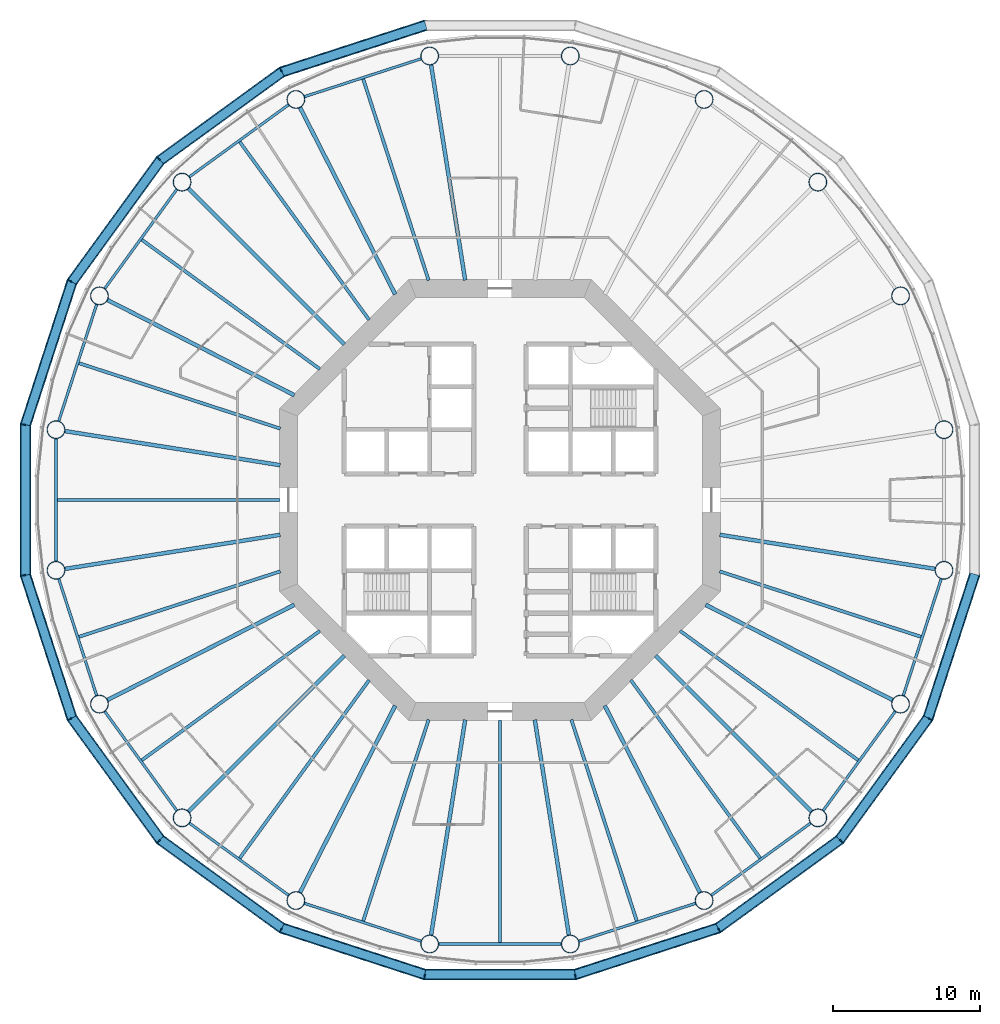
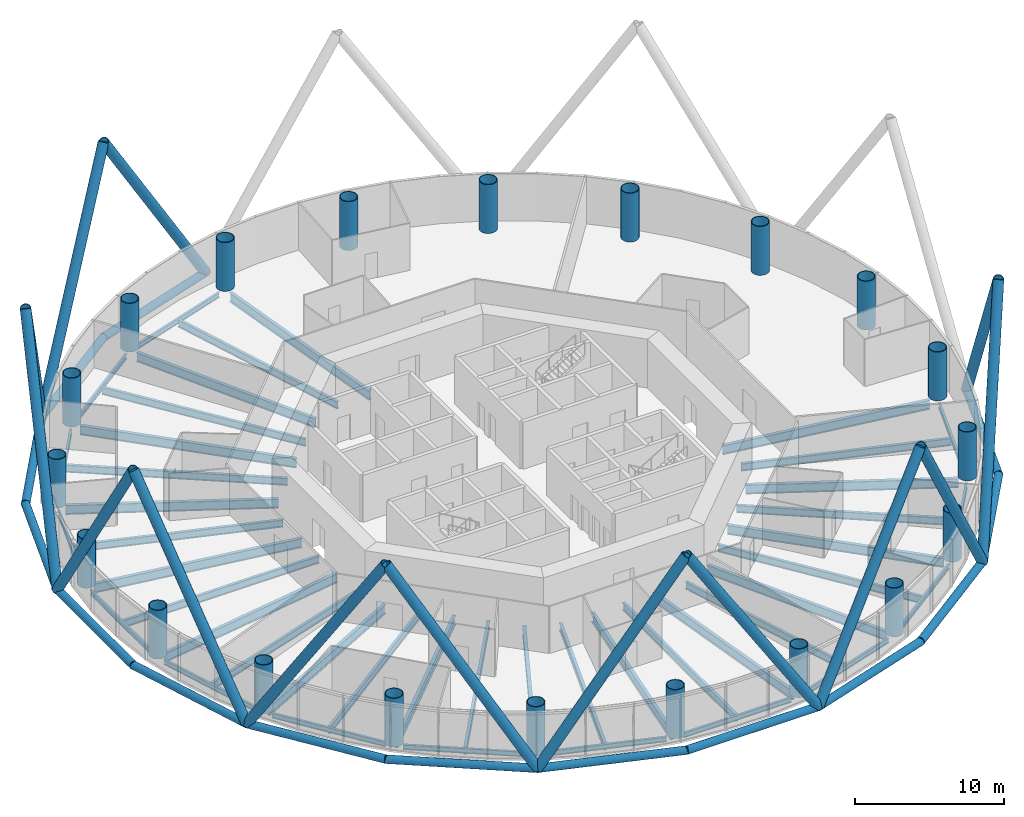
# One storey, part 1 of 13: 43 beams, 28 members, 20 columns.
"""IFC4 building model written with IfcOpenShell, lengths in metres."""

from ifc_helpers import new_model, si_unit, direction, frame, origin, origin_2d, place, context, subcontext, project, spatial, circle, hollow_circle, i_section, extrude, material, material_profile, profile_set, type_object, element, save


model = new_model("IFC4")

# Units and contexts
model_context = context("Model", 3, precision=1e-05, world=origin(), true_north=direction((0.0, 1.0)))
body_context = subcontext(model_context, "Body", "Model", "MODEL_VIEW")
ifc_project = project(units=[si_unit("LENGTHUNIT", "METRE"), si_unit("AREAUNIT", "SQUARE_METRE"), si_unit("VOLUMEUNIT", "CUBIC_METRE"), si_unit("PLANEANGLEUNIT", "RADIAN"), si_unit("MASSUNIT", "GRAM", prefix="KILO")], contexts=[model_context])

# Site, building, storey
site_placement = place(None, origin())
site = spatial("IfcSite", under=ifc_project, at=site_placement, CompositionType="ELEMENT")
building_placement = place(site_placement, origin())
building = spatial("IfcBuilding", under=site, at=building_placement, Name="Entoto Ring Tower", CompositionType="ELEMENT")
storey_placement = place(building_placement, frame((0.0, 0.0, 116.0)))
storey = spatial("IfcBuildingStorey", under=building, at=storey_placement, Name="L26", CompositionType="ELEMENT", Elevation=116.0)

# Columns
ifc_material_1 = material(Name="Steel S355", Category="steel")
ifc_material_profile_1 = material_profile(ifc_material_1, hollow_circle(Radius=0.625, WallThickness=0.054931640625, at=origin_2d()), Name="CHS 1250 x 55")
ifc_material_2 = material(Name="Concrete C60/75", Category="concrete")
ifc_material_profile_2 = material_profile(ifc_material_2, circle(Radius=0.570068359375, at=origin_2d()), Name="Concrete C60/75 infill")
ifc_profile_set_1 = profile_set([ifc_material_profile_1, ifc_material_profile_2], Name="Steel S355")
column_type = type_object("IfcColumnType", Name="Ring column 1250 x 55 concrete-filled tube", PredefinedType="COLUMN", material=ifc_profile_set_1)
for number, where, z_axis, x_axis, name in (
    (1, (120.22314453125, 84.786865234375, 0.0), (0.0, 0.0, 1.0), (1.0, 0.0, 0.0), "RC2 R01"),
    (2, (117.264892578125, 93.89208984375, 0.0), (0.0, 0.0, 1.0), (1.0, 0.0, 0.0), "RC2 R02"),
    (3, (111.637451171875, 101.637451171875, 0.0), (0.0, 0.0, 1.0), (1.0, 0.0, 0.0), "RC2 R03"),
    (4, (103.89208984375, 107.264892578125, 0.0), (0.0, 0.0, 1.0), (1.0, 0.0, 0.0), "RC2 R04"),
    (5, (94.786865234375, 110.22314453125, 0.0), (0.0, 0.0, 1.0), (1.0, 0.0, 0.0), "RC2 R05"),
    (6, (85.213134765625, 110.22314453125, 0.0), (0.0, 0.0, 1.0), (1.0, 0.0, 0.0), "RC2 R06"),
    (7, (76.10791015625, 107.264892578125, 0.0), (0.0, 0.0, 1.0), (1.0, 0.0, 0.0), "RC2 R07"),
    (8, (68.362548828125, 101.637451171875, 0.0), (0.0, 0.0, 1.0), (1.0, 0.0, 0.0), "RC2 R08"),
    (9, (62.735107421875, 93.89208984375, 0.0), (0.0, 0.0, 1.0), (1.0, 0.0, 0.0), "RC2 R09"),
    (10, (59.77685546875, 84.786865234375, 0.0), (0.0, 0.0, 1.0), (1.0, 0.0, 0.0), "RC2 R10"),
    (11, (59.77685546875, 75.213134765625, 0.0), (0.0, 0.0, 1.0), (1.0, 0.0, 0.0), "RC2 R11"),
    (12, (62.735107421875, 66.10791015625, 0.0), (0.0, 0.0, 1.0), (1.0, 0.0, 0.0), "RC2 R12"),
    (13, (68.362548828125, 58.362548828125, 0.0), (0.0, 0.0, 1.0), (1.0, 0.0, 0.0), "RC2 R13"),
    (14, (76.10791015625, 52.735107421875, 0.0), (0.0, 0.0, 1.0), (1.0, 0.0, 0.0), "RC2 R14"),
    (15, (85.213134765625, 49.77685546875, 0.0), (0.0, 0.0, 1.0), (1.0, 0.0, 0.0), "RC2 R15"),
    (16, (94.786865234375, 49.77685546875, 0.0), (0.0, 0.0, 1.0), (1.0, 0.0, 0.0), "RC2 R16"),
    (17, (103.89208984375, 52.735107421875, 0.0), (0.0, 0.0, 1.0), (1.0, 0.0, 0.0), "RC2 R17"),
    (18, (111.637451171875, 58.362548828125, 0.0), (0.0, 0.0, 1.0), (1.0, 0.0, 0.0), "RC2 R18"),
    (19, (117.264892578125, 66.10791015625, 0.0), (0.0, 0.0, 1.0), (1.0, 0.0, 0.0), "RC2 R19"),
    (20, (120.22314453125, 75.213134765625, 0.0), (0.0, 0.0, 1.0), (1.0, 0.0, 0.0), "RC2 R20"),
):
    element("IfcColumn", number, at=place(storey_placement, frame(where, z_axis=z_axis, x_axis=x_axis)), inside=storey, type_object=column_type, Name=name, PredefinedType="COLUMN", context=body_context, shape_type="SweptSolid", body=[
        extrude(hollow_circle(Radius=0.625, WallThickness=0.054931640625, at=origin_2d()), origin(), (0.0, 0.0, 1.0), 4.0),
    ])

# Members
ifc_material_3 = material(Name="Steel S355", Category="steel")
ifc_material_profile_3 = material_profile(ifc_material_3, hollow_circle(Radius=0.375, WallThickness=0.0380859375, at=origin_2d()), Name="CHS 750 x 38")
ifc_material_4 = material(Name="Concrete C60/75", Category="concrete")
ifc_material_profile_4 = material_profile(ifc_material_4, circle(Radius=0.3369140625, at=origin_2d()), Name="Concrete C60/75 infill")
ifc_profile_set_2 = profile_set([ifc_material_profile_3, ifc_material_profile_4], Name="Steel S355")
member_type_1 = type_object("IfcMemberType", Name="Diagrid diagonal 750 x 38 concrete-filled tube", PredefinedType="BRACE", material=ifc_profile_set_2)
for number, where, z_axis, x_axis, name in (
    (21, (84.884521484375, 112.29736328125, 0.0), (-0.512340715739, -0.166465095802, 0.84249413225), (0.309009448885, -0.95105896794, 0.0), "DG3A module 8 06"),
    (22, (66.877685546875, 103.122314453125, 0.0), (0.435822862586, 0.316653552924, 0.842489738731), (-0.587797047665, 0.809008424404, 0.0), "DG3A module 8 07"),
    (23, (66.877685546875, 103.122314453125, 0.0), (-0.316653552924, -0.435822862586, 0.842489738731), (0.809008424404, -0.587797047665, 0.0), "DG3A module 8 08"),
    (24, (57.70263671875, 85.115478515625, 0.0), (0.166465095802, 0.512340715739, 0.84249413225), (-0.95105896794, 0.309009448885, 0.0), "DG3A module 8 09"),
):
    element("IfcMember", number, at=place(storey_placement, frame(where, z_axis=z_axis, x_axis=x_axis)), inside=storey, type_object=member_type_1, Name=name, PredefinedType="BRACE", context=body_context, shape_type="SweptSolid", body=[
        extrude(hollow_circle(Radius=0.375, WallThickness=0.0380859375, at=origin_2d()), origin(), (0.0, 0.0, 1.0), 18.9912109375),
    ])
member_1_placement = place(storey_placement, frame((57.70263671875, 85.115478515625, 0.0), z_axis=(0.0, -0.538715853857, 0.84248752442), x_axis=(1.0, 0.0, 0.0)))
element("IfcMember", 25, at=member_1_placement, inside=storey, type_object=member_type_1, Name="DG3A module 8 10", PredefinedType="BRACE", context=body_context, shape_type="SweptSolid", body=[
    extrude(hollow_circle(Radius=0.375, WallThickness=0.0380859375, at=origin_2d()), origin(), (0.0, 0.0, 1.0), 18.991455078125),
])
for number, where, z_axis, x_axis, name in (
    (26, (60.864013671875, 65.154541015625, 0.0), (-0.166465095802, 0.512340715739, 0.84249413225), (-0.95105896794, -0.309009448885, 0.0), "DG3A module 8 11"),
    (27, (60.864013671875, 65.154541015625, 0.0), (0.316653552924, -0.435822862586, 0.842489738731), (0.809008424404, 0.587797047665, 0.0), "DG3A module 8 12"),
    (28, (75.154541015625, 50.864013671875, 0.0), (-0.435822862586, 0.316653552924, 0.842489738731), (-0.587797047665, -0.809008424404, 0.0), "DG3A module 8 13"),
    (29, (75.154541015625, 50.864013671875, 0.0), (0.512340715739, -0.166465095802, 0.84249413225), (0.309009448885, 0.95105896794, 0.0), "DG3A module 8 14"),
):
    element("IfcMember", number, at=place(storey_placement, frame(where, z_axis=z_axis, x_axis=x_axis)), inside=storey, type_object=member_type_1, Name=name, PredefinedType="BRACE", context=body_context, shape_type="SweptSolid", body=[
        extrude(hollow_circle(Radius=0.375, WallThickness=0.0380859375, at=origin_2d()), origin(), (0.0, 0.0, 1.0), 18.9912109375),
    ])
member_2_placement = place(storey_placement, frame((95.115478515625, 47.70263671875, 0.0), z_axis=(-0.538715853857, 0.0, 0.84248752442), x_axis=(0.0, -1.0, 0.0)))
element("IfcMember", 30, at=member_2_placement, inside=storey, type_object=member_type_1, Name="DG3A module 8 15", PredefinedType="BRACE", context=body_context, shape_type="SweptSolid", body=[
    extrude(hollow_circle(Radius=0.375, WallThickness=0.0380859375, at=origin_2d()), origin(), (0.0, 0.0, 1.0), 18.991455078125),
])
for number, where, z_axis, x_axis, name in (
    (31, (95.115478515625, 47.70263671875, 0.0), (0.512340715739, 0.166465095802, 0.84249413225), (-0.309009448885, 0.95105896794, 0.0), "DG3A module 8 16"),
    (32, (113.122314453125, 56.877685546875, 0.0), (-0.435822862586, -0.316653552924, 0.842489738731), (0.587797047665, -0.809008424404, 0.0), "DG3A module 8 17"),
    (33, (113.122314453125, 56.877685546875, 0.0), (0.316653552924, 0.435822862586, 0.842489738731), (-0.809008424404, 0.587797047665, 0.0), "DG3A module 8 18"),
    (34, (122.29736328125, 74.884521484375, 0.0), (-0.166465095802, -0.512340715739, 0.84249413225), (0.95105896794, -0.309009448885, 0.0), "DG3A module 8 19"),
):
    element("IfcMember", number, at=place(storey_placement, frame(where, z_axis=z_axis, x_axis=x_axis)), inside=storey, type_object=member_type_1, Name=name, PredefinedType="BRACE", context=body_context, shape_type="SweptSolid", body=[
        extrude(hollow_circle(Radius=0.375, WallThickness=0.0380859375, at=origin_2d()), origin(), (0.0, 0.0, 1.0), 18.9912109375),
    ])
ifc_material_5 = material(Name="Steel S355", Category="steel")
ifc_material_profile_5 = material_profile(ifc_material_5, hollow_circle(Radius=0.300048828125, WallThickness=0.030029296875, at=origin_2d()), Name="CHS 600 x 30")
ifc_material_6 = material(Name="Concrete C60/75", Category="concrete")
ifc_material_profile_6 = material_profile(ifc_material_6, circle(Radius=0.27001953125, at=origin_2d()), Name="Concrete C60/75 infill")
ifc_profile_set_3 = profile_set([ifc_material_profile_5, ifc_material_profile_6], Name="Steel S355")
member_type_2 = type_object("IfcMemberType", Name="Diagrid ring beam 600 x 30", PredefinedType="CHORD", material=ifc_profile_set_3)
member_3_placement = place(storey_placement, frame((84.94873046875, 112.318359375, 0.0), z_axis=(-0.951051375491, -0.309032815696, 0.0), x_axis=(0.309032815696, -0.951051375491, 0.0)))
element("IfcMember", 35, at=member_3_placement, inside=storey, type_object=member_type_2, Name="DR1 ring 7 05", PredefinedType="CHORD", context=body_context, shape_type="SweptSolid", body=[
    extrude(hollow_circle(Radius=0.300048828125, WallThickness=0.030029296875, at=origin_2d()), origin(), (0.0, 0.0, 1.0), 10.36572265625),
])
for number, where, z_axis, x_axis, name in (
    (36, (75.209228515625, 109.175537109375, 0.0), (-0.809025235549, -0.587773909122, 0.0), (0.587773909122, -0.809025235549, 0.0), "DR1 ring 7 06"),
    (37, (66.917236328125, 103.177001953125, 0.0), (-0.587773909122, -0.809025235549, 0.0), (0.809025235549, -0.587773909122, 0.0), "DR1 ring 7 07"),
):
    element("IfcMember", number, at=place(storey_placement, frame(where, z_axis=z_axis, x_axis=x_axis)), inside=storey, type_object=member_type_2, Name=name, PredefinedType="CHORD", context=body_context, shape_type="SweptSolid", body=[
        extrude(hollow_circle(Radius=0.300048828125, WallThickness=0.030029296875, at=origin_2d()), origin(), (0.0, 0.0, 1.0), 10.365966796875),
    ])
for number, where, z_axis, x_axis, name in (
    (38, (60.885009765625, 94.90966796875, 0.0), (-0.309032815696, -0.951051375491, 0.0), (0.951051375491, -0.309032815696, 0.0), "DR1 ring 7 08"),
    (39, (57.70263671875, 85.182861328125, 0.0), (0.0, -1.0, 0.0), (1.0, 0.0, 0.0), "DR1 ring 7 09"),
    (40, (57.681640625, 74.94873046875, 0.0), (0.309032815696, -0.951051375491, 0.0), (0.951051375491, 0.309032815696, 0.0), "DR1 ring 7 10"),
):
    element("IfcMember", number, at=place(storey_placement, frame(where, z_axis=z_axis, x_axis=x_axis)), inside=storey, type_object=member_type_2, Name=name, PredefinedType="CHORD", context=body_context, shape_type="SweptSolid", body=[
        extrude(hollow_circle(Radius=0.300048828125, WallThickness=0.030029296875, at=origin_2d()), origin(), (0.0, 0.0, 1.0), 10.36572265625),
    ])
for number, where, z_axis, x_axis, name in (
    (41, (60.824462890625, 65.209228515625, 0.0), (0.587773909122, -0.809025235549, 0.0), (0.809025235549, 0.587773909122, 0.0), "DR1 ring 7 11"),
    (42, (66.822998046875, 56.917236328125, 0.0), (0.809025235549, -0.587773909122, 0.0), (0.587773909122, 0.809025235549, 0.0), "DR1 ring 7 12"),
):
    element("IfcMember", number, at=place(storey_placement, frame(where, z_axis=z_axis, x_axis=x_axis)), inside=storey, type_object=member_type_2, Name=name, PredefinedType="CHORD", context=body_context, shape_type="SweptSolid", body=[
        extrude(hollow_circle(Radius=0.300048828125, WallThickness=0.030029296875, at=origin_2d()), origin(), (0.0, 0.0, 1.0), 10.365966796875),
    ])
for number, where, z_axis, x_axis, name in (
    (43, (75.09033203125, 50.885009765625, 0.0), (0.951051375491, -0.309032815696, 0.0), (0.309032815696, 0.951051375491, 0.0), "DR1 ring 7 13"),
    (44, (84.817138671875, 47.70263671875, 0.0), (1.0, 0.0, 0.0), (0.0, 1.0, 0.0), "DR1 ring 7 14"),
    (45, (95.05126953125, 47.681640625, 0.0), (0.951051375491, 0.309032815696, 0.0), (-0.309032815696, 0.951051375491, 0.0), "DR1 ring 7 15"),
):
    element("IfcMember", number, at=place(storey_placement, frame(where, z_axis=z_axis, x_axis=x_axis)), inside=storey, type_object=member_type_2, Name=name, PredefinedType="CHORD", context=body_context, shape_type="SweptSolid", body=[
        extrude(hollow_circle(Radius=0.300048828125, WallThickness=0.030029296875, at=origin_2d()), origin(), (0.0, 0.0, 1.0), 10.36572265625),
    ])
for number, where, z_axis, x_axis, name in (
    (46, (104.790771484375, 50.824462890625, 0.0), (0.809025235549, 0.587773909122, 0.0), (-0.587773909122, 0.809025235549, 0.0), "DR1 ring 7 16"),
    (47, (113.082763671875, 56.822998046875, 0.0), (0.587773909122, 0.809025235549, 0.0), (-0.809025235549, 0.587773909122, 0.0), "DR1 ring 7 17"),
):
    element("IfcMember", number, at=place(storey_placement, frame(where, z_axis=z_axis, x_axis=x_axis)), inside=storey, type_object=member_type_2, Name=name, PredefinedType="CHORD", context=body_context, shape_type="SweptSolid", body=[
        extrude(hollow_circle(Radius=0.300048828125, WallThickness=0.030029296875, at=origin_2d()), origin(), (0.0, 0.0, 1.0), 10.365966796875),
    ])
member_4_placement = place(storey_placement, frame((119.114990234375, 65.09033203125, 0.0), z_axis=(0.309032815696, 0.951051375491, 0.0), x_axis=(-0.951051375491, 0.309032815696, 0.0)))
element("IfcMember", 48, at=member_4_placement, inside=storey, type_object=member_type_2, Name="DR1 ring 7 18", PredefinedType="CHORD", context=body_context, shape_type="SweptSolid", body=[
    extrude(hollow_circle(Radius=0.300048828125, WallThickness=0.030029296875, at=origin_2d()), origin(), (0.0, 0.0, 1.0), 10.36572265625),
])

# Beams
ifc_material_7 = material(Name="Steel S355", Category="steel")
ifc_material_profile_7 = material_profile(ifc_material_7, i_section(OverallWidth=0.179931640625, OverallDepth=0.39990234375, WebThickness=0.008544921875, FlangeThickness=0.013427734375, FilletRadius=0.02099609375, at=origin_2d()), Name="IPE 400")
ifc_profile_set_4 = profile_set([ifc_material_profile_7], Name="Steel S355")
beam_type_1 = type_object("IfcBeamType", Name="Edge beam IPE 400", PredefinedType="SPANDREL", material=ifc_profile_set_4)
for number, where, z_axis, x_axis, name in (
    (49, (84.64404296875, 110.038330078125, -0.35009765625), (-0.951057410904, -0.309014241039, 0.0), (0.309014241039, -0.951057410904, 0.0), "Edge beam L26 06"),
    (50, (75.623779296875, 106.9130859375, -0.35009765625), (-0.8090182976, -0.587783458554, 0.0), (0.587783458554, -0.8090182976, 0.0), "Edge beam L26 07"),
    (51, (68.0107421875, 101.1533203125, -0.35009765625), (-0.587783458554, -0.8090182976, 0.0), (0.8090182976, -0.587783458554, 0.0), "Edge beam L26 08"),
    (52, (62.55029296875, 93.322998046875, -0.35009765625), (-0.309014241039, -0.951057410904, 0.0), (0.951057410904, -0.309014241039, 0.0), "Edge beam L26 09"),
    (53, (59.77685546875, 84.1884765625, -0.35009765625), (0.0, -1.0, 0.0), (1.0, 0.0, 0.0), "Edge beam L26 10"),
    (54, (59.961669921875, 74.64404296875, -0.35009765625), (0.309014241039, -0.951057410904, 0.0), (0.951057410904, 0.309014241039, 0.0), "Edge beam L26 11"),
    (55, (63.0869140625, 65.623779296875, -0.35009765625), (0.587783458554, -0.8090182976, 0.0), (0.8090182976, 0.587783458554, 0.0), "Edge beam L26 12"),
    (56, (68.8466796875, 58.0107421875, -0.35009765625), (0.8090182976, -0.587783458554, 0.0), (0.587783458554, 0.8090182976, 0.0), "Edge beam L26 13"),
    (57, (76.677001953125, 52.55029296875, -0.35009765625), (0.951057410904, -0.309014241039, 0.0), (0.309014241039, 0.951057410904, 0.0), "Edge beam L26 14"),
    (58, (85.8115234375, 49.77685546875, -0.35009765625), (1.0, 0.0, 0.0), (0.0, 1.0, 0.0), "Edge beam L26 15"),
    (59, (95.35595703125, 49.961669921875, -0.35009765625), (0.951057410904, 0.309014241039, 0.0), (-0.309014241039, 0.951057410904, 0.0), "Edge beam L26 16"),
    (60, (104.376220703125, 53.0869140625, -0.35009765625), (0.8090182976, 0.587783458554, 0.0), (-0.587783458554, 0.8090182976, 0.0), "Edge beam L26 17"),
    (61, (111.9892578125, 58.8466796875, -0.35009765625), (0.587783458554, 0.8090182976, 0.0), (-0.8090182976, 0.587783458554, 0.0), "Edge beam L26 18"),
    (62, (117.44970703125, 66.677001953125, -0.35009765625), (0.309014241039, 0.951057410904, 0.0), (-0.951057410904, 0.309014241039, 0.0), "Edge beam L26 19"),
):
    element("IfcBeam", number, at=place(storey_placement, frame(where, z_axis=z_axis, x_axis=x_axis)), inside=storey, type_object=beam_type_1, Name=name, PredefinedType="SPANDREL", context=body_context, shape_type="SweptSolid", body=[
        extrude(i_section(OverallWidth=0.179931640625, OverallDepth=0.39990234375, WebThickness=0.008544921875, FlangeThickness=0.013427734375, FilletRadius=0.02099609375, at=origin_2d()), origin(), (0.0, 0.0, 1.0), 8.376953125),
    ])
ifc_material_8 = material(Name="Steel S355", Category="steel")
ifc_material_profile_8 = material_profile(ifc_material_8, i_section(OverallWidth=0.262939453125, OverallDepth=0.7529296875, WebThickness=0.011474609375, FlangeThickness=0.01708984375, FilletRadius=0.01708984375, at=origin_2d()), Name="IPE 750 x 137")
ifc_profile_set_5 = profile_set([ifc_material_profile_8], Name="Steel S355")
beam_type_2 = type_object("IfcBeamType", Name="Primary floor beam IPE 750 x 137", PredefinedType="BEAM", material=ifc_profile_set_5)
beam_1_placement = place(storey_placement, frame((87.630615234375, 94.959716796875, -0.526611328125), z_axis=(-0.156426484787, 0.98768960451, 0.0), x_axis=(-0.98768960451, -0.156426484787, 0.0)))
element("IfcBeam", 63, at=beam_1_placement, inside=storey, type_object=beam_type_2, Name="Primary L26 R06", PredefinedType="BEAM", context=body_context, shape_type="SweptSolid", body=[
    extrude(i_section(OverallWidth=0.262939453125, OverallDepth=0.7529296875, WebThickness=0.011474609375, FlangeThickness=0.01708984375, FilletRadius=0.01708984375, at=origin_2d()), origin(), (0.0, 0.0, 1.0), 14.86279296875),
])
beam_2_placement = place(storey_placement, frame((82.8681640625, 93.9970703125, -0.526611328125), z_axis=(-0.453988952421, 0.891007312585, 0.0), x_axis=(-0.891007312585, -0.453988952421, 0.0)))
element("IfcBeam", 64, at=beam_2_placement, inside=storey, type_object=beam_type_2, Name="Primary L26 R07", PredefinedType="BEAM", context=body_context, shape_type="SweptSolid", body=[
    extrude(i_section(OverallWidth=0.262939453125, OverallDepth=0.7529296875, WebThickness=0.011474609375, FlangeThickness=0.01708984375, FilletRadius=0.01708984375, at=origin_2d()), origin(), (0.0, 0.0, 1.0), 14.2998046875),
])
beam_3_placement = place(storey_placement, frame((79.407470703125, 90.592529296875, -0.526611328125), z_axis=(-0.707106781187, 0.707106781187, 0.0), x_axis=(-0.707106781187, -0.707106781187, 0.0)))
element("IfcBeam", 65, at=beam_3_placement, inside=storey, type_object=beam_type_2, Name="Primary L26 R08", PredefinedType="BEAM", context=body_context, shape_type="SweptSolid", body=[
    extrude(i_section(OverallWidth=0.262939453125, OverallDepth=0.7529296875, WebThickness=0.011474609375, FlangeThickness=0.01708984375, FilletRadius=0.01708984375, at=origin_2d()), origin(), (0.0, 0.0, 1.0), 15.029052734375),
])
beam_4_placement = place(storey_placement, frame((76.0029296875, 87.1318359375, -0.526611328125), z_axis=(-0.891007312585, 0.453988952421, 0.0), x_axis=(-0.453988952421, -0.891007312585, 0.0)))
element("IfcBeam", 66, at=beam_4_placement, inside=storey, type_object=beam_type_2, Name="Primary L26 R09", PredefinedType="BEAM", context=body_context, shape_type="SweptSolid", body=[
    extrude(i_section(OverallWidth=0.262939453125, OverallDepth=0.7529296875, WebThickness=0.011474609375, FlangeThickness=0.01708984375, FilletRadius=0.01708984375, at=origin_2d()), origin(), (0.0, 0.0, 1.0), 14.2998046875),
])
for number, where, z_axis, x_axis, name in (
    (67, (75.040283203125, 82.369384765625, -0.526611328125), (-0.98768960451, 0.156426484787, 0.0), (-0.156426484787, -0.98768960451, 0.0), "Primary L26 R10"),
    (68, (75.040283203125, 77.630615234375, -0.526611328125), (-0.98768960451, -0.156426484787, 0.0), (0.156426484787, -0.98768960451, 0.0), "Primary L26 R11"),
):
    element("IfcBeam", number, at=place(storey_placement, frame(where, z_axis=z_axis, x_axis=x_axis)), inside=storey, type_object=beam_type_2, Name=name, PredefinedType="BEAM", context=body_context, shape_type="SweptSolid", body=[
        extrude(i_section(OverallWidth=0.262939453125, OverallDepth=0.7529296875, WebThickness=0.011474609375, FlangeThickness=0.01708984375, FilletRadius=0.01708984375, at=origin_2d()), origin(), (0.0, 0.0, 1.0), 14.86279296875),
    ])
beam_5_placement = place(storey_placement, frame((76.0029296875, 72.8681640625, -0.526611328125), z_axis=(-0.891007312585, -0.453988952421, 0.0), x_axis=(0.453988952421, -0.891007312585, 0.0)))
element("IfcBeam", 69, at=beam_5_placement, inside=storey, type_object=beam_type_2, Name="Primary L26 R12", PredefinedType="BEAM", context=body_context, shape_type="SweptSolid", body=[
    extrude(i_section(OverallWidth=0.262939453125, OverallDepth=0.7529296875, WebThickness=0.011474609375, FlangeThickness=0.01708984375, FilletRadius=0.01708984375, at=origin_2d()), origin(), (0.0, 0.0, 1.0), 14.2998046875),
])
beam_6_placement = place(storey_placement, frame((79.407470703125, 69.407470703125, -0.526611328125), z_axis=(-0.707106781187, -0.707106781187, 0.0), x_axis=(0.707106781187, -0.707106781187, 0.0)))
element("IfcBeam", 70, at=beam_6_placement, inside=storey, type_object=beam_type_2, Name="Primary L26 R13", PredefinedType="BEAM", context=body_context, shape_type="SweptSolid", body=[
    extrude(i_section(OverallWidth=0.262939453125, OverallDepth=0.7529296875, WebThickness=0.011474609375, FlangeThickness=0.01708984375, FilletRadius=0.01708984375, at=origin_2d()), origin(), (0.0, 0.0, 1.0), 15.029052734375),
])
beam_7_placement = place(storey_placement, frame((82.8681640625, 66.0029296875, -0.526611328125), z_axis=(-0.453988952421, -0.891007312585, 0.0), x_axis=(0.891007312585, -0.453988952421, 0.0)))
element("IfcBeam", 71, at=beam_7_placement, inside=storey, type_object=beam_type_2, Name="Primary L26 R14", PredefinedType="BEAM", context=body_context, shape_type="SweptSolid", body=[
    extrude(i_section(OverallWidth=0.262939453125, OverallDepth=0.7529296875, WebThickness=0.011474609375, FlangeThickness=0.01708984375, FilletRadius=0.01708984375, at=origin_2d()), origin(), (0.0, 0.0, 1.0), 14.2998046875),
])
for number, where, z_axis, x_axis, name in (
    (72, (87.630615234375, 65.040283203125, -0.526611328125), (-0.156426484787, -0.98768960451, 0.0), (0.98768960451, -0.156426484787, 0.0), "Primary L26 R15"),
    (73, (92.369384765625, 65.040283203125, -0.526611328125), (0.156426484787, -0.98768960451, 0.0), (0.98768960451, 0.156426484787, 0.0), "Primary L26 R16"),
):
    element("IfcBeam", number, at=place(storey_placement, frame(where, z_axis=z_axis, x_axis=x_axis)), inside=storey, type_object=beam_type_2, Name=name, PredefinedType="BEAM", context=body_context, shape_type="SweptSolid", body=[
        extrude(i_section(OverallWidth=0.262939453125, OverallDepth=0.7529296875, WebThickness=0.011474609375, FlangeThickness=0.01708984375, FilletRadius=0.01708984375, at=origin_2d()), origin(), (0.0, 0.0, 1.0), 14.86279296875),
    ])
beam_8_placement = place(storey_placement, frame((97.1318359375, 66.0029296875, -0.526611328125), z_axis=(0.453988952421, -0.891007312585, 0.0), x_axis=(0.891007312585, 0.453988952421, 0.0)))
element("IfcBeam", 74, at=beam_8_placement, inside=storey, type_object=beam_type_2, Name="Primary L26 R17", PredefinedType="BEAM", context=body_context, shape_type="SweptSolid", body=[
    extrude(i_section(OverallWidth=0.262939453125, OverallDepth=0.7529296875, WebThickness=0.011474609375, FlangeThickness=0.01708984375, FilletRadius=0.01708984375, at=origin_2d()), origin(), (0.0, 0.0, 1.0), 14.2998046875),
])
beam_9_placement = place(storey_placement, frame((100.592529296875, 69.407470703125, -0.526611328125), z_axis=(0.707106781187, -0.707106781187, 0.0), x_axis=(0.707106781187, 0.707106781187, 0.0)))
element("IfcBeam", 75, at=beam_9_placement, inside=storey, type_object=beam_type_2, Name="Primary L26 R18", PredefinedType="BEAM", context=body_context, shape_type="SweptSolid", body=[
    extrude(i_section(OverallWidth=0.262939453125, OverallDepth=0.7529296875, WebThickness=0.011474609375, FlangeThickness=0.01708984375, FilletRadius=0.01708984375, at=origin_2d()), origin(), (0.0, 0.0, 1.0), 15.029052734375),
])
beam_10_placement = place(storey_placement, frame((103.9970703125, 72.8681640625, -0.526611328125), z_axis=(0.891007312585, -0.453988952421, 0.0), x_axis=(0.453988952421, 0.891007312585, 0.0)))
element("IfcBeam", 76, at=beam_10_placement, inside=storey, type_object=beam_type_2, Name="Primary L26 R19", PredefinedType="BEAM", context=body_context, shape_type="SweptSolid", body=[
    extrude(i_section(OverallWidth=0.262939453125, OverallDepth=0.7529296875, WebThickness=0.011474609375, FlangeThickness=0.01708984375, FilletRadius=0.01708984375, at=origin_2d()), origin(), (0.0, 0.0, 1.0), 14.2998046875),
])
beam_11_placement = place(storey_placement, frame((104.959716796875, 77.630615234375, -0.526611328125), z_axis=(0.98768960451, -0.156426484787, 0.0), x_axis=(0.156426484787, 0.98768960451, 0.0)))
element("IfcBeam", 77, at=beam_11_placement, inside=storey, type_object=beam_type_2, Name="Primary L26 R20", PredefinedType="BEAM", context=body_context, shape_type="SweptSolid", body=[
    extrude(i_section(OverallWidth=0.262939453125, OverallDepth=0.7529296875, WebThickness=0.011474609375, FlangeThickness=0.01708984375, FilletRadius=0.01708984375, at=origin_2d()), origin(), (0.0, 0.0, 1.0), 14.86279296875),
])
ifc_material_9 = material(Name="Steel S355", Category="steel")
ifc_material_profile_9 = material_profile(ifc_material_9, i_section(OverallWidth=0.219970703125, OverallDepth=0.60009765625, WebThickness=0.011962890625, FlangeThickness=0.01904296875, FilletRadius=0.02392578125, at=origin_2d()), Name="IPE 600")
ifc_profile_set_6 = profile_set([ifc_material_profile_9], Name="Steel S355")
beam_type_3 = type_object("IfcBeamType", Name="Secondary floor beam IPE 600", PredefinedType="JOIST", material=ifc_profile_set_6)
beam_12_placement = place(storey_placement, frame((85.143310546875, 94.947021484375, -0.449951171875), z_axis=(-0.309014850288, 0.951057212949, 0.0), x_axis=(-0.951057212949, -0.309014850288, 0.0)))
element("IfcBeam", 78, at=beam_12_placement, inside=storey, type_object=beam_type_3, Name="Secondary beam L26 06", PredefinedType="JOIST", context=body_context, shape_type="SweptSolid", body=[
    extrude(i_section(OverallWidth=0.219970703125, OverallDepth=0.60009765625, WebThickness=0.011962890625, FlangeThickness=0.01904296875, FilletRadius=0.02392578125, at=origin_2d()), origin(), (0.0, 0.0, 1.0), 14.4169921875),
])
for number, where, z_axis, x_axis, name in (
    (79, (81.09521484375, 92.25634765625, -0.449951171875), (-0.587782163866, 0.809019238239, 0.0), (-0.809019238239, -0.587782163866, 0.0), "Secondary beam L26 07"),
    (80, (77.74365234375, 88.90478515625, -0.449951171875), (-0.809019238239, 0.587782163866, 0.0), (-0.587782163866, -0.809019238239, 0.0), "Secondary beam L26 08"),
):
    element("IfcBeam", number, at=place(storey_placement, frame(where, z_axis=z_axis, x_axis=x_axis)), inside=storey, type_object=beam_type_3, Name=name, PredefinedType="JOIST", context=body_context, shape_type="SweptSolid", body=[
        extrude(i_section(OverallWidth=0.219970703125, OverallDepth=0.60009765625, WebThickness=0.011962890625, FlangeThickness=0.01904296875, FilletRadius=0.02392578125, at=origin_2d()), origin(), (0.0, 0.0, 1.0), 14.983642578125),
    ])
beam_13_placement = place(storey_placement, frame((75.052978515625, 84.856689453125, -0.449951171875), z_axis=(-0.951057212949, 0.309014850288, 0.0), x_axis=(-0.309014850288, -0.951057212949, 0.0)))
element("IfcBeam", 81, at=beam_13_placement, inside=storey, type_object=beam_type_3, Name="Secondary beam L26 09", PredefinedType="JOIST", context=body_context, shape_type="SweptSolid", body=[
    extrude(i_section(OverallWidth=0.219970703125, OverallDepth=0.60009765625, WebThickness=0.011962890625, FlangeThickness=0.01904296875, FilletRadius=0.02392578125, at=origin_2d()), origin(), (0.0, 0.0, 1.0), 14.4169921875),
])
beam_14_placement = place(storey_placement, frame((75.02001953125, 80.0, -0.449951171875), z_axis=(-1.0, 0.0, 0.0), x_axis=(0.0, -1.0, 0.0)))
element("IfcBeam", 82, at=beam_14_placement, inside=storey, type_object=beam_type_3, Name="Secondary beam L26 10", PredefinedType="JOIST", context=body_context, shape_type="SweptSolid", body=[
    extrude(i_section(OverallWidth=0.219970703125, OverallDepth=0.60009765625, WebThickness=0.011962890625, FlangeThickness=0.01904296875, FilletRadius=0.02392578125, at=origin_2d()), origin(), (0.0, 0.0, 1.0), 15.1533203125),
])
beam_15_placement = place(storey_placement, frame((75.052978515625, 75.143310546875, -0.449951171875), z_axis=(-0.951057212949, -0.309014850288, 0.0), x_axis=(0.309014850288, -0.951057212949, 0.0)))
element("IfcBeam", 83, at=beam_15_placement, inside=storey, type_object=beam_type_3, Name="Secondary beam L26 11", PredefinedType="JOIST", context=body_context, shape_type="SweptSolid", body=[
    extrude(i_section(OverallWidth=0.219970703125, OverallDepth=0.60009765625, WebThickness=0.011962890625, FlangeThickness=0.01904296875, FilletRadius=0.02392578125, at=origin_2d()), origin(), (0.0, 0.0, 1.0), 14.4169921875),
])
for number, where, z_axis, x_axis, name in (
    (84, (77.74365234375, 71.09521484375, -0.449951171875), (-0.809019238239, -0.587782163866, 0.0), (0.587782163866, -0.809019238239, 0.0), "Secondary beam L26 12"),
    (85, (81.09521484375, 67.74365234375, -0.449951171875), (-0.587782163866, -0.809019238239, 0.0), (0.809019238239, -0.587782163866, 0.0), "Secondary beam L26 13"),
):
    element("IfcBeam", number, at=place(storey_placement, frame(where, z_axis=z_axis, x_axis=x_axis)), inside=storey, type_object=beam_type_3, Name=name, PredefinedType="JOIST", context=body_context, shape_type="SweptSolid", body=[
        extrude(i_section(OverallWidth=0.219970703125, OverallDepth=0.60009765625, WebThickness=0.011962890625, FlangeThickness=0.01904296875, FilletRadius=0.02392578125, at=origin_2d()), origin(), (0.0, 0.0, 1.0), 14.983642578125),
    ])
beam_16_placement = place(storey_placement, frame((85.143310546875, 65.052978515625, -0.449951171875), z_axis=(-0.309014850288, -0.951057212949, 0.0), x_axis=(0.951057212949, -0.309014850288, 0.0)))
element("IfcBeam", 86, at=beam_16_placement, inside=storey, type_object=beam_type_3, Name="Secondary beam L26 14", PredefinedType="JOIST", context=body_context, shape_type="SweptSolid", body=[
    extrude(i_section(OverallWidth=0.219970703125, OverallDepth=0.60009765625, WebThickness=0.011962890625, FlangeThickness=0.01904296875, FilletRadius=0.02392578125, at=origin_2d()), origin(), (0.0, 0.0, 1.0), 14.4169921875),
])
beam_17_placement = place(storey_placement, frame((90.0, 65.02001953125, -0.449951171875), z_axis=(0.0, -1.0, 0.0), x_axis=(1.0, 0.0, 0.0)))
element("IfcBeam", 87, at=beam_17_placement, inside=storey, type_object=beam_type_3, Name="Secondary beam L26 15", PredefinedType="JOIST", context=body_context, shape_type="SweptSolid", body=[
    extrude(i_section(OverallWidth=0.219970703125, OverallDepth=0.60009765625, WebThickness=0.011962890625, FlangeThickness=0.01904296875, FilletRadius=0.02392578125, at=origin_2d()), origin(), (0.0, 0.0, 1.0), 15.1533203125),
])
beam_18_placement = place(storey_placement, frame((94.856689453125, 65.052978515625, -0.449951171875), z_axis=(0.309014850288, -0.951057212949, 0.0), x_axis=(0.951057212949, 0.309014850288, 0.0)))
element("IfcBeam", 88, at=beam_18_placement, inside=storey, type_object=beam_type_3, Name="Secondary beam L26 16", PredefinedType="JOIST", context=body_context, shape_type="SweptSolid", body=[
    extrude(i_section(OverallWidth=0.219970703125, OverallDepth=0.60009765625, WebThickness=0.011962890625, FlangeThickness=0.01904296875, FilletRadius=0.02392578125, at=origin_2d()), origin(), (0.0, 0.0, 1.0), 14.4169921875),
])
for number, where, z_axis, x_axis, name in (
    (89, (98.90478515625, 67.74365234375, -0.449951171875), (0.587782163866, -0.809019238239, 0.0), (0.809019238239, 0.587782163866, 0.0), "Secondary beam L26 17"),
    (90, (102.25634765625, 71.09521484375, -0.449951171875), (0.809019238239, -0.587782163866, 0.0), (0.587782163866, 0.809019238239, 0.0), "Secondary beam L26 18"),
):
    element("IfcBeam", number, at=place(storey_placement, frame(where, z_axis=z_axis, x_axis=x_axis)), inside=storey, type_object=beam_type_3, Name=name, PredefinedType="JOIST", context=body_context, shape_type="SweptSolid", body=[
        extrude(i_section(OverallWidth=0.219970703125, OverallDepth=0.60009765625, WebThickness=0.011962890625, FlangeThickness=0.01904296875, FilletRadius=0.02392578125, at=origin_2d()), origin(), (0.0, 0.0, 1.0), 14.983642578125),
    ])
beam_19_placement = place(storey_placement, frame((104.947021484375, 75.143310546875, -0.449951171875), z_axis=(0.951057212949, -0.309014850288, 0.0), x_axis=(0.309014850288, 0.951057212949, 0.0)))
element("IfcBeam", 91, at=beam_19_placement, inside=storey, type_object=beam_type_3, Name="Secondary beam L26 19", PredefinedType="JOIST", context=body_context, shape_type="SweptSolid", body=[
    extrude(i_section(OverallWidth=0.219970703125, OverallDepth=0.60009765625, WebThickness=0.011962890625, FlangeThickness=0.01904296875, FilletRadius=0.02392578125, at=origin_2d()), origin(), (0.0, 0.0, 1.0), 14.4169921875),
])

save(model, "model.ifc")
